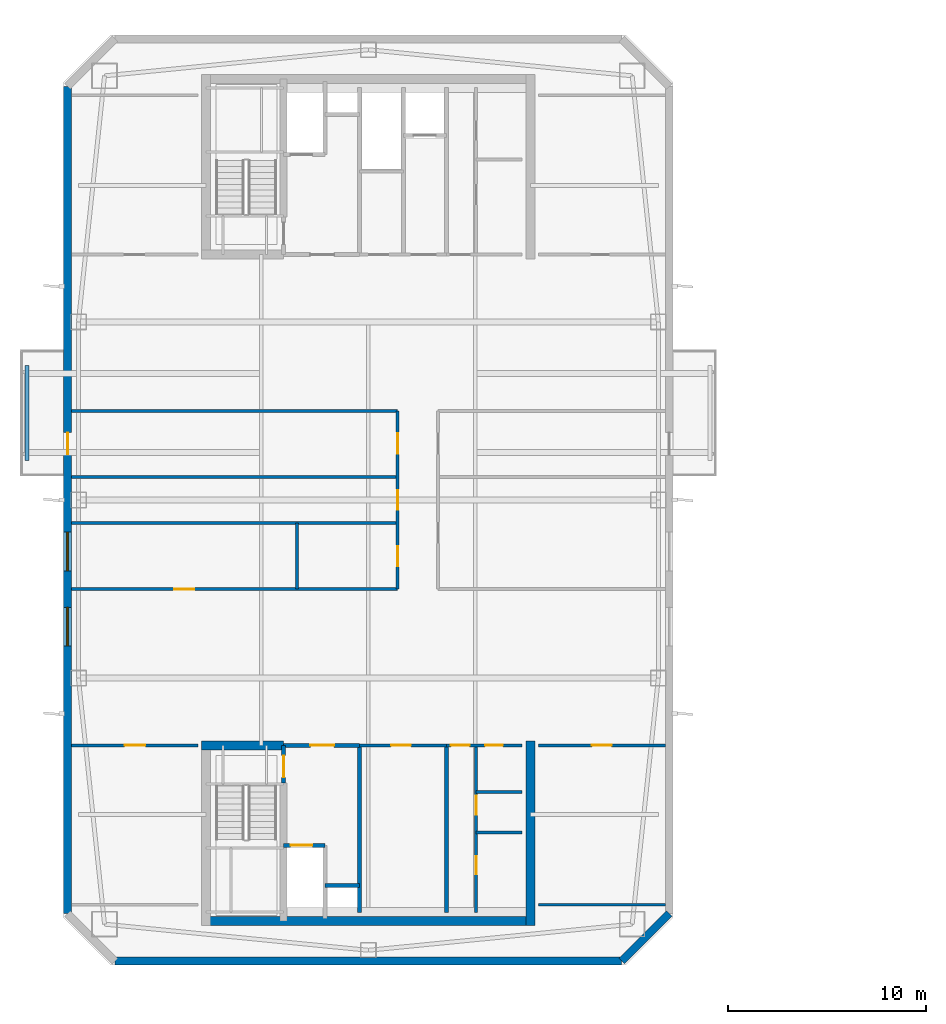
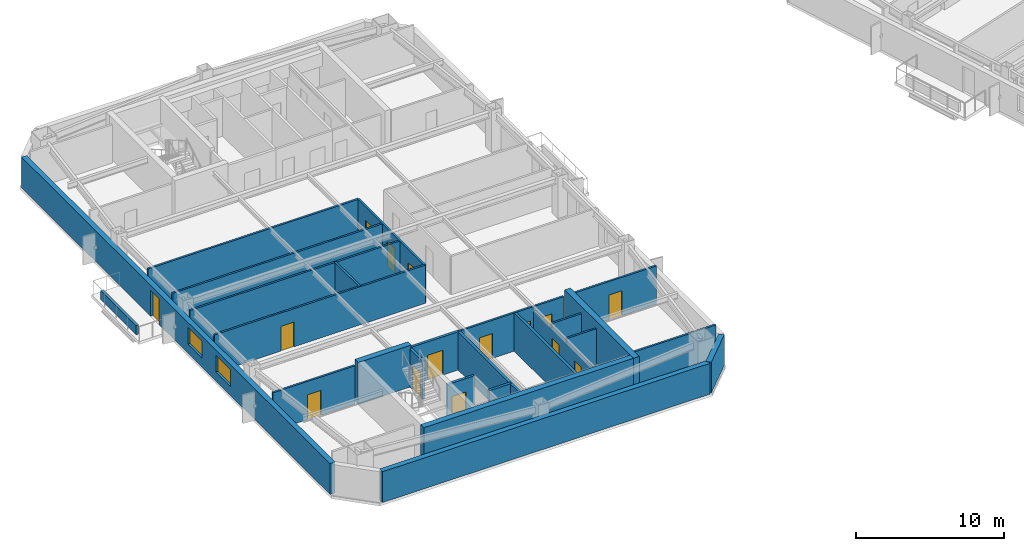
# One storey, part 6 of 18: 27 walls, 15 doors, 2 windows, 17 openings.
"""IFC4 building model written with IfcOpenShell, lengths in metres."""

from ifc_helpers import new_model, si_unit, direction, frame, frame_2d, origin, place, context, subcontext, project, spatial, rectangle, extrude, material, layer, layer_set, type_object, element, fill, save


model = new_model("IFC4")

# Units and contexts
model_context = context("Model", 3, precision=1e-05, world=origin(), true_north=direction((0.0, 1.0)))
body_context = subcontext(model_context, "Body", "Model", "MODEL_VIEW")
ifc_project = project(units=[si_unit("LENGTHUNIT", "METRE"), si_unit("AREAUNIT", "SQUARE_METRE"), si_unit("VOLUMEUNIT", "CUBIC_METRE"), si_unit("PLANEANGLEUNIT", "RADIAN"), si_unit("MASSUNIT", "GRAM", prefix="KILO")], contexts=[model_context])

# Site, building, storey
site_placement = place(None, origin())
site = spatial("IfcSite", under=ifc_project, at=site_placement, CompositionType="ELEMENT")
building_placement = place(site_placement, origin())
building = spatial("IfcBuilding", under=site, at=building_placement, Name="Qiaolan Cultural Towers", CompositionType="ELEMENT")
storey_placement = place(building_placement, frame((0.0, 0.0, 226.550048828125)))
storey = spatial("IfcBuildingStorey", under=building, at=storey_placement, Name="L61", CompositionType="ELEMENT", Elevation=226.550048828125)

# Walls
ifc_material_1 = material(Name="Concrete C50", Category="concrete")
ifc_layer_1 = layer(ifc_material_1, 0.449951171875)
ifc_layer_set_1 = layer_set([ifc_layer_1], Name="Concrete C50")
wall_type_1 = type_object("IfcWallType", Name="WL-CORE-450", PredefinedType="SHEAR", material=ifc_layer_set_1)
wall_1_placement = place(storey_placement, frame((21.574951171875, 12.719970703125, 0.0), z_axis=(0.0, 0.0, 1.0), x_axis=(1.0, 0.0, 0.0)))
element("IfcWall", 1, at=wall_1_placement, inside=storey, type_object=wall_type_1, Name="L61 T1-CS Outer Core Shear Wall", PredefinedType="SHEAR", context=body_context, shape_type="SweptSolid", body=[
    extrude(rectangle(XDim=16.85009765625, YDim=0.449951171875, at=frame_2d((8.425048828125, 0.0))), origin(), (0.0, 0.0, 1.0), 3.449951171875),
])
wall_2_placement = place(storey_placement, frame((38.199951171875, 21.824951171875, 0.0), z_axis=(0.0, 0.0, 1.0), x_axis=(0.0, -1.0, 0.0)))
element("IfcWall", 2, at=wall_2_placement, inside=storey, type_object=wall_type_1, Name="L61 T1-CS East Core Shear Wall", PredefinedType="SHEAR", context=body_context, shape_type="SweptSolid", body=[
    extrude(rectangle(XDim=9.329833984375, YDim=0.449951171875, at=frame_2d((4.6650390625, 0.0))), origin(), (0.0, 0.0, 1.0), 3.449951171875),
])
wall_3_placement = place(storey_placement, frame((21.574951171875, 21.60009765625, 0.0), z_axis=(0.0, 0.0, 1.0), x_axis=(1.0, 0.0, 0.0)))
element("IfcWall", 3, at=wall_3_placement, inside=storey, type_object=wall_type_1, Name="L61 T1-CS Stair Front Shear Wall", PredefinedType="SHEAR", context=body_context, shape_type="SweptSolid", body=[
    extrude(rectangle(XDim=4.14501953125, YDim=0.449951171875, at=frame_2d((2.072509765625, 0.0))), origin(), (0.0, 0.0, 1.0), 3.449951171875),
])

# Wall, openings, door, windows
ifc_material_2 = material(Name="Precast Concrete C50 Honed Stone Pier", Category="masonry")
ifc_layer_2 = layer(ifc_material_2, 0.39990234375)
ifc_layer_set_2 = layer_set([ifc_layer_2], Name="Precast Concrete C50 Honed Stone Pier")
wall_type_2 = type_object("IfcWallType", Name="WL-EXT-PIER-400", PredefinedType="SOLIDWALL", material=ifc_layer_set_2)
wall_4_placement = place(storey_placement, frame((14.800048828125, 13.10009765625, 0.0), z_axis=(0.0, 0.0, 1.0), x_axis=(0.0, 1.0, 0.0)))
wall_4 = element("IfcWall", 4, at=wall_4_placement, inside=storey, type_object=wall_type_2, Name="L61 West Tower Precast Pier Facade Wall F1", PredefinedType="SOLIDWALL", context=body_context, shape_type="SweptSolid", body=[
    extrude(rectangle(XDim=41.7998046875, YDim=0.39990234375, at=frame_2d((20.89990234375, 0.0))), origin(), (0.0, 0.0, 1.0), 2.550048828125),
])
opening_1_placement = place(wall_4_placement, frame((13.52490234375, 0.0, 0.75)))
opening_1 = element("IfcOpeningElement", 5, at=opening_1_placement, cuts=wall_4, Name="Opening W-06", PredefinedType="OPENING", context=body_context, shape_type="SweptSolid", body=[
    extrude(rectangle(XDim=1.949951171875, YDim=1.39990234375, at=frame_2d((0.97509765625, 0.699951171875))), frame((0.0, 0.2099609375, 0.0), z_axis=(0.0, -1.0, 0.0), x_axis=(1.0, 0.0, 0.0)), (0.0, 0.0, 1.0), 0.419921875),
])
opening_2_placement = place(wall_4_placement, frame((17.324951171875, 0.0, 0.75)))
opening_2 = element("IfcOpeningElement", 6, at=opening_2_placement, cuts=wall_4, Name="Opening W-06", PredefinedType="OPENING", context=body_context, shape_type="SweptSolid", body=[
    extrude(rectangle(XDim=1.949951171875, YDim=1.39990234375, at=frame_2d((0.97509765625, 0.699951171875))), frame((0.0, 0.2099609375, 0.0), z_axis=(0.0, -1.0, 0.0), x_axis=(1.0, 0.0, 0.0)), (0.0, 0.0, 1.0), 0.419921875),
])
opening_3_placement = place(wall_4_placement, frame((23.199951171875, 0.0, 0.0)))
opening_3 = element("IfcOpeningElement", 7, at=opening_3_placement, cuts=wall_4, Name="Opening BD-01", PredefinedType="OPENING", context=body_context, shape_type="SweptSolid", body=[
    extrude(rectangle(XDim=1.10009765625, YDim=2.14990234375, at=frame_2d((0.550048828125, 1.074951171875))), frame((0.0, 0.2099609375, 0.0), z_axis=(0.0, -1.0, 0.0), x_axis=(1.0, 0.0, 0.0)), (0.0, 0.0, 1.0), 0.419921875),
])
ifc_material_3 = material(Name="Thermally Broken Aluminium Glazed Terrace Door", Category="aluminium")
door_type_1 = type_object("IfcDoorType", Name="DR-BAL-1100", OperationType="NOTDEFINED", PredefinedType="DOOR", material=ifc_material_3)
door_1_placement = place(opening_3_placement, origin())
door_1 = element("IfcDoor", 8, at=door_1_placement, inside=storey, type_object=door_type_1, Name="L61 T1 West Tree Balcony Door", OperationType="SINGLE_SWING_LEFT", OverallHeight=2.14990234375, OverallWidth=1.10009765625, PredefinedType="DOOR", context=body_context, shape_type="SweptSolid", body=[
    extrude(rectangle(XDim=1.10009765625, YDim=2.14990234375, at=frame_2d((0.550048828125, 1.074951171875))), frame((0.0, 0.02490234375, 0.0), z_axis=(0.0, -1.0, 0.0), x_axis=(1.0, 0.0, 0.0)), (0.0, 0.0, 1.0), 0.050048828125),
])
fill(opening_3, door_1)
ifc_material_4 = material(Name="Thermally Broken Aluminium Triple Low-E Glazing", Category="aluminium")
window_type = type_object("IfcWindowType", Name="WN-CHIC-1950", PartitioningType="SINGLE_PANEL", PredefinedType="WINDOW", material=ifc_material_4)
window_1_placement = place(opening_1_placement, origin())
window_1 = element("IfcWindow", 9, at=window_1_placement, inside=storey, type_object=window_type, Name="L61 T1 W Chicago Bay Window 1", OverallHeight=1.39990234375, OverallWidth=1.949951171875, PartitioningType="TRIPLE_PANEL_VERTICAL", PredefinedType="WINDOW", context=body_context, shape_type="SweptSolid", body=[
    extrude(rectangle(XDim=1.949951171875, YDim=1.39990234375, at=frame_2d((0.97509765625, 0.699951171875))), frame((0.0, 0.030029296875, 0.0), z_axis=(0.0, -1.0, 0.0), x_axis=(1.0, 0.0, 0.0)), (0.0, 0.0, 1.0), 0.06005859375),
])
fill(opening_1, window_1)
window_2_placement = place(opening_2_placement, origin())
window_2 = element("IfcWindow", 10, at=window_2_placement, inside=storey, type_object=window_type, Name="L61 T1 W Chicago Bay Window 2", OverallHeight=1.39990234375, OverallWidth=1.949951171875, PartitioningType="TRIPLE_PANEL_VERTICAL", PredefinedType="WINDOW", context=body_context, shape_type="SweptSolid", body=[
    extrude(rectangle(XDim=1.949951171875, YDim=1.39990234375, at=frame_2d((0.97509765625, 0.699951171875))), frame((0.0, 0.030029296875, 0.0), z_axis=(0.0, -1.0, 0.0), x_axis=(1.0, 0.0, 0.0)), (0.0, 0.0, 1.0), 0.06005859375),
])
fill(opening_2, window_2)

# Walls
wall_5_placement = place(storey_placement, frame((45.199951171875, 13.10009765625, 0.0), z_axis=(0.0, 0.0, 1.0), x_axis=(-0.707070815327, -0.707142745217, 0.0)))
element("IfcWall", 11, at=wall_5_placement, inside=storey, type_object=wall_type_2, Name="L61 West Tower Precast Pier Facade Wall F6", PredefinedType="SOLIDWALL", context=body_context, shape_type="SweptSolid", body=[
    extrude(rectangle(XDim=3.39404296875, YDim=0.39990234375, at=frame_2d((1.697021484375, 0.0))), origin(), (0.0, 0.0, 1.0), 2.550048828125),
])
wall_6_placement = place(storey_placement, frame((42.800048828125, 10.699951171875, 0.0), z_axis=(0.0, 0.0, 1.0), x_axis=(-1.0, 0.0, 0.0)))
element("IfcWall", 12, at=wall_6_placement, inside=storey, type_object=wall_type_2, Name="L61 West Tower Precast Pier Facade Wall F7", PredefinedType="SOLIDWALL", context=body_context, shape_type="SweptSolid", body=[
    extrude(rectangle(XDim=25.60009765625, YDim=0.39990234375, at=frame_2d((12.800048828125, 0.0))), origin(), (0.0, 0.0, 1.0), 2.550048828125),
])

# Wall, opening, door
ifc_material_5 = material(Name="Concrete C35 Fire Wall", Category="concrete")
ifc_layer_3 = layer(ifc_material_5, 0.199951171875)
ifc_layer_set_3 = layer_set([ifc_layer_3], Name="Concrete C35 Fire Wall")
wall_type_3 = type_object("IfcWallType", Name="WL-FIRE-200", PredefinedType="PARTITIONING", material=ifc_layer_set_3)
wall_7_placement = place(storey_placement, frame((25.719970703125, 21.60009765625, 0.0), z_axis=(0.0, 0.0, 1.0), x_axis=(0.0, -1.0, 0.0)))
wall_7 = element("IfcWall", 13, at=wall_7_placement, inside=storey, type_object=wall_type_3, Name="L61 T1-CS Smokeproof Stair Entry Wall", PredefinedType="PARTITIONING", context=body_context, shape_type="SweptSolid", body=[
    extrude(rectangle(XDim=1.900146484375, YDim=0.199951171875, at=frame_2d((0.9501953125, 0.0))), origin(), (0.0, 0.0, 1.0), 3.155029296875),
])
opening_4_placement = place(wall_7_placement, frame((0.52001953125, 0.0, 0.0)))
opening_4 = element("IfcOpeningElement", 14, at=opening_4_placement, cuts=wall_7, Name="Opening FD-04", PredefinedType="OPENING", context=body_context, shape_type="SweptSolid", body=[
    extrude(rectangle(XDim=1.10009765625, YDim=2.050048828125, at=frame_2d((0.550048828125, 1.02490234375))), frame((0.0, 0.10986328125, 0.0), z_axis=(0.0, -1.0, 0.0), x_axis=(1.0, 0.0, 0.0)), (0.0, 0.0, 1.0), 0.219970703125),
])
ifc_material_6 = material(Name="Galvanized Steel Command Fire Door", Category="steel")
door_type_2 = type_object("IfcDoorType", Name="DR-FD90-1100", OperationType="NOTDEFINED", PredefinedType="DOOR", material=ifc_material_6)
door_2_placement = place(opening_4_placement, origin())
door_2 = element("IfcDoor", 15, at=door_2_placement, inside=storey, type_object=door_type_2, Name="L61 ST-W1 Smokeproof Stair Fire Door", OperationType="SINGLE_SWING_LEFT", OverallHeight=2.050048828125, OverallWidth=1.10009765625, PredefinedType="DOOR", context=body_context, shape_type="SweptSolid", body=[
    extrude(rectangle(XDim=1.10009765625, YDim=2.050048828125, at=frame_2d((0.550048828125, 1.02490234375))), frame((0.0, 0.02490234375, 0.0), z_axis=(0.0, -1.0, 0.0), x_axis=(1.0, 0.0, 0.0)), (0.0, 0.0, 1.0), 0.050048828125),
])
fill(opening_4, door_2)

# Wall
wall_8_placement = place(storey_placement, frame((29.550048828125, 21.60009765625, 0.0), z_axis=(0.0, 0.0, 1.0), x_axis=(0.0, -1.0, 0.0)))
element("IfcWall", 16, at=wall_8_placement, inside=storey, type_object=wall_type_3, Name="L61 T1-CS Firefighting Zone Wall", PredefinedType="PARTITIONING", context=body_context, shape_type="SweptSolid", body=[
    extrude(rectangle(XDim=8.43017578125, YDim=0.199951171875, at=frame_2d((4.215087890625, 0.0))), origin(), (0.0, 0.0, 1.0), 3.155029296875),
])

# Wall, opening, door
wall_9_placement = place(storey_placement, frame((25.719970703125, 21.60009765625, 0.0), z_axis=(0.0, 0.0, 1.0), x_axis=(1.0, 0.0, 0.0)))
wall_9 = element("IfcWall", 17, at=wall_9_placement, inside=storey, type_object=wall_type_3, Name="L61 T1-CS Firefighting Lobby Front Wall", PredefinedType="PARTITIONING", context=body_context, shape_type="SweptSolid", body=[
    extrude(rectangle(XDim=3.830078125, YDim=0.199951171875, at=frame_2d((1.9150390625, 0.0))), origin(), (0.0, 0.0, 1.0), 3.155029296875),
])
opening_5_placement = place(wall_9_placement, frame((1.35009765625, 0.0, 0.0)))
opening_5 = element("IfcOpeningElement", 18, at=opening_5_placement, cuts=wall_9, Name="Opening FD-03", PredefinedType="OPENING", context=body_context, shape_type="SweptSolid", body=[
    extrude(rectangle(XDim=1.199951171875, YDim=2.050048828125, at=frame_2d((0.60009765625, 1.02490234375))), frame((0.0, 0.10986328125, 0.0), z_axis=(0.0, -1.0, 0.0), x_axis=(1.0, 0.0, 0.0)), (0.0, 0.0, 1.0), 0.219970703125),
])
ifc_material_7 = material(Name="Galvanized Steel Smokeproof Lobby Fire Door", Category="steel")
door_type_3 = type_object("IfcDoorType", Name="DR-FD90-1200", OperationType="NOTDEFINED", PredefinedType="DOOR", material=ifc_material_7)
door_3_placement = place(opening_5_placement, origin())
door_3 = element("IfcDoor", 19, at=door_3_placement, inside=storey, type_object=door_type_3, Name="L61 FFL-W1 Firefighting Lobby Fire Door", OperationType="SINGLE_SWING_LEFT", OverallHeight=2.050048828125, OverallWidth=1.199951171875, PredefinedType="DOOR", context=body_context, shape_type="SweptSolid", body=[
    extrude(rectangle(XDim=1.199951171875, YDim=2.050048828125, at=frame_2d((0.60009765625, 1.02490234375))), frame((0.0, 0.02490234375, 0.0), z_axis=(0.0, -1.0, 0.0), x_axis=(1.0, 0.0, 0.0)), (0.0, 0.0, 1.0), 0.050048828125),
])
fill(opening_5, door_3)

wall_10_placement = place(storey_placement, frame((25.719970703125, 16.550048828125, 0.0), z_axis=(0.0, 0.0, 1.0), x_axis=(1.0, 0.0, 0.0)))
wall_10 = element("IfcWall", 20, at=wall_10_placement, inside=storey, type_object=wall_type_3, Name="L61 T1-CS Firefighting Shaft Front Wall", PredefinedType="PARTITIONING", context=body_context, shape_type="SweptSolid", body=[
    extrude(rectangle(XDim=2.10009765625, YDim=0.199951171875, at=frame_2d((1.050048828125, 0.0))), origin(), (0.0, 0.0, 1.0), 3.155029296875),
])
opening_6_placement = place(wall_10_placement, frame((0.35009765625, 0.0, 0.0)))
opening_6 = element("IfcOpeningElement", 21, at=opening_6_placement, cuts=wall_10, Name="Opening LD-01", PredefinedType="OPENING", context=body_context, shape_type="SweptSolid", body=[
    extrude(rectangle(XDim=1.10009765625, YDim=2.050048828125, at=frame_2d((0.550048828125, 1.02490234375))), frame((0.0, 0.10986328125, 0.0), z_axis=(0.0, -1.0, 0.0), x_axis=(1.0, 0.0, 0.0)), (0.0, 0.0, 1.0), 0.219970703125),
])
ifc_material_8 = material(Name="Brushed Stainless Steel S30408 Centre-Parting Lift Landing Door", Category="steel")
door_type_4 = type_object("IfcDoorType", Name="DR-LIFT-1100", OperationType="NOTDEFINED", PredefinedType="DOOR", material=ifc_material_8)
door_4_placement = place(opening_6_placement, origin())
door_4 = element("IfcDoor", 22, at=door_4_placement, inside=storey, type_object=door_type_4, Name="L61 FFL-W1 Firefighting Lift Landing Door", OperationType="DOUBLE_DOOR_SLIDING", OverallHeight=2.050048828125, OverallWidth=1.10009765625, PredefinedType="DOOR", context=body_context, shape_type="SweptSolid", body=[
    extrude(rectangle(XDim=1.10009765625, YDim=2.050048828125, at=frame_2d((0.550048828125, 1.02490234375))), frame((0.0, 0.02490234375, 0.0), z_axis=(0.0, -1.0, 0.0), x_axis=(1.0, 0.0, 0.0)), (0.0, 0.0, 1.0), 0.050048828125),
])
fill(opening_6, door_4)

# Walls
wall_11_placement = place(storey_placement, frame((27.820068359375, 14.52001953125, 0.0), z_axis=(0.0, 0.0, 1.0), x_axis=(1.0, 0.0, 0.0)))
element("IfcWall", 23, at=wall_11_placement, inside=storey, type_object=wall_type_3, Name="L61 T1-CS Pressurization Shaft Front Wall", PredefinedType="PARTITIONING", context=body_context, shape_type="SweptSolid", body=[
    extrude(rectangle(XDim=1.72998046875, YDim=0.199951171875, at=frame_2d((0.864990234375, 0.0))), origin(), (0.0, 0.0, 1.0), 3.155029296875),
])
wall_12_placement = place(storey_placement, frame((33.949951171875, 21.60009765625, 0.0), z_axis=(0.0, 0.0, 1.0), x_axis=(0.0, -1.0, 0.0)))
element("IfcWall", 24, at=wall_12_placement, inside=storey, type_object=wall_type_3, Name="L61 T1-CS Lift Core East Wall", PredefinedType="PARTITIONING", context=body_context, shape_type="SweptSolid", body=[
    extrude(rectangle(XDim=8.43017578125, YDim=0.199951171875, at=frame_2d((4.215087890625, 0.0))), origin(), (0.0, 0.0, 1.0), 3.155029296875),
])

# Wall, opening, door
ifc_material_9 = material(Name="Autoclaved Aerated Concrete Block B06", Category="concrete")
ifc_layer_4 = layer(ifc_material_9, 0.14990234375)
ifc_layer_set_4 = layer_set([ifc_layer_4], Name="Autoclaved Aerated Concrete Block B06")
wall_type_4 = type_object("IfcWallType", Name="WL-PART-150", PredefinedType="PARTITIONING", material=ifc_layer_set_4)
wall_13_placement = place(storey_placement, frame((29.550048828125, 21.60009765625, 0.0), z_axis=(0.0, 0.0, 1.0), x_axis=(1.0, 0.0, 0.0)))
wall_13 = element("IfcWall", 25, at=wall_13_placement, inside=storey, type_object=wall_type_4, Name="L61 T1-CS Reclaimed Core Room Front Wall", PredefinedType="PARTITIONING", context=body_context, shape_type="SweptSolid", body=[
    extrude(rectangle(XDim=4.39990234375, YDim=0.14990234375, at=frame_2d((2.199951171875, 0.0))), origin(), (0.0, 0.0, 1.0), 3.155029296875),
])
opening_7_placement = place(wall_13_placement, frame((1.60009765625, 0.0, 0.0)))
opening_7 = element("IfcOpeningElement", 26, at=opening_7_placement, cuts=wall_13, Name="Opening ID-04", PredefinedType="OPENING", context=body_context, shape_type="SweptSolid", body=[
    extrude(rectangle(XDim=1.0, YDim=2.050048828125, at=frame_2d((0.5, 1.02490234375))), frame((0.0, 0.0849609375, 0.0), z_axis=(0.0, -1.0, 0.0), x_axis=(1.0, 0.0, 0.0)), (0.0, 0.0, 1.0), 0.169921875),
])
ifc_material_10 = material(Name="Oak Veneer Acoustic Office Door", Category="timber")
door_type_5 = type_object("IfcDoorType", Name="DR-INT-1000", OperationType="NOTDEFINED", PredefinedType="DOOR", material=ifc_material_10)
door_5_placement = place(opening_7_placement, origin())
door_5 = element("IfcDoor", 27, at=door_5_placement, inside=storey, type_object=door_type_5, Name="L61 Reclaimed Archive Room Door", OperationType="SINGLE_SWING_LEFT", OverallHeight=2.050048828125, OverallWidth=1.0, PredefinedType="DOOR", context=body_context, shape_type="SweptSolid", body=[
    extrude(rectangle(XDim=1.0, YDim=2.050048828125, at=frame_2d((0.5, 1.02490234375))), frame((0.0, 0.02490234375, 0.0), z_axis=(0.0, -1.0, 0.0), x_axis=(1.0, 0.0, 0.0)), (0.0, 0.0, 1.0), 0.050048828125),
])
fill(opening_7, door_5)

# Wall, openings, doors
wall_14_placement = place(storey_placement, frame((33.949951171875, 21.60009765625, 0.0), z_axis=(0.0, 0.0, 1.0), x_axis=(1.0, 0.0, 0.0)))
wall_14 = element("IfcWall", 28, at=wall_14_placement, inside=storey, type_object=wall_type_4, Name="L61 T1-CS Sanitary Core Front Wall", PredefinedType="PARTITIONING", context=body_context, shape_type="SweptSolid", body=[
    extrude(rectangle(XDim=3.800048828125, YDim=0.14990234375, at=frame_2d((1.89990234375, 0.0))), origin(), (0.0, 0.0, 1.0), 3.155029296875),
])
opening_8_placement = place(wall_14_placement, frame((0.219970703125, 0.0, 0.0)))
opening_8 = element("IfcOpeningElement", 29, at=opening_8_placement, cuts=wall_14, Name="Opening ID-05", PredefinedType="OPENING", context=body_context, shape_type="SweptSolid", body=[
    extrude(rectangle(XDim=0.949951171875, YDim=2.050048828125, at=frame_2d((0.47509765625, 1.02490234375))), frame((0.0, 0.0849609375, 0.0), z_axis=(0.0, -1.0, 0.0), x_axis=(1.0, 0.0, 0.0)), (0.0, 0.0, 1.0), 0.169921875),
])
opening_9_placement = place(wall_14_placement, frame((1.949951171875, 0.0, 0.0)))
opening_9 = element("IfcOpeningElement", 30, at=opening_9_placement, cuts=wall_14, Name="Opening ID-06", PredefinedType="OPENING", context=body_context, shape_type="SweptSolid", body=[
    extrude(rectangle(XDim=0.89990234375, YDim=2.050048828125, at=frame_2d((0.449951171875, 1.02490234375))), frame((0.0, 0.0849609375, 0.0), z_axis=(0.0, -1.0, 0.0), x_axis=(1.0, 0.0, 0.0)), (0.0, 0.0, 1.0), 0.169921875),
])
ifc_material_11 = material(Name="Fire-Rated Laminate Core Service Door", Category="timber")
door_type_6 = type_object("IfcDoorType", Name="DR-INT-900", OperationType="NOTDEFINED", PredefinedType="DOOR", material=ifc_material_11)
door_6_placement = place(opening_9_placement, origin())
door_6 = element("IfcDoor", 31, at=door_6_placement, inside=storey, type_object=door_type_6, Name="L61 Core Tea Pantry Door", OperationType="SINGLE_SWING_RIGHT", OverallHeight=2.050048828125, OverallWidth=0.89990234375, PredefinedType="DOOR", context=body_context, shape_type="SweptSolid", body=[
    extrude(rectangle(XDim=0.89990234375, YDim=2.050048828125, at=frame_2d((0.449951171875, 1.02490234375))), frame((0.0, 0.02490234375, 0.0), z_axis=(0.0, -1.0, 0.0), x_axis=(1.0, 0.0, 0.0)), (0.0, 0.0, 1.0), 0.050048828125),
])
fill(opening_9, door_6)
ifc_material_12 = material(Name="Fire-Rated Laminate Accessible Core Door", Category="timber")
door_type_7 = type_object("IfcDoorType", Name="DR-INT-950", OperationType="NOTDEFINED", PredefinedType="DOOR", material=ifc_material_12)
door_7_placement = place(opening_8_placement, origin())
door_7 = element("IfcDoor", 32, at=door_7_placement, inside=storey, type_object=door_type_7, Name="L61 Sanitary Passage Door", OperationType="SINGLE_SWING_LEFT", OverallHeight=2.050048828125, OverallWidth=0.949951171875, PredefinedType="DOOR", context=body_context, shape_type="SweptSolid", body=[
    extrude(rectangle(XDim=0.949951171875, YDim=2.050048828125, at=frame_2d((0.47509765625, 1.02490234375))), frame((0.0, 0.02490234375, 0.0), z_axis=(0.0, -1.0, 0.0), x_axis=(1.0, 0.0, 0.0)), (0.0, 0.0, 1.0), 0.050048828125),
])
fill(opening_8, door_7)

wall_15_placement = place(storey_placement, frame((35.449951171875, 21.60009765625, 0.0), z_axis=(0.0, 0.0, 1.0), x_axis=(0.0, -1.0, 0.0)))
wall_15 = element("IfcWall", 33, at=wall_15_placement, inside=storey, type_object=wall_type_4, Name="L61 T1-CS Sanitary Corridor Wall", PredefinedType="PARTITIONING", context=body_context, shape_type="SweptSolid", body=[
    extrude(rectangle(XDim=8.43017578125, YDim=0.14990234375, at=frame_2d((4.215087890625, 0.0))), origin(), (0.0, 0.0, 1.0), 2.794921875),
])
opening_10_placement = place(wall_15_placement, frame((2.550048828125, 0.0, 0.0)))
opening_10 = element("IfcOpeningElement", 34, at=opening_10_placement, cuts=wall_15, Name="Opening ID-05", PredefinedType="OPENING", context=body_context, shape_type="SweptSolid", body=[
    extrude(rectangle(XDim=0.949951171875, YDim=2.050048828125, at=frame_2d((0.47509765625, 1.02490234375))), frame((0.0, 0.0849609375, 0.0), z_axis=(0.0, -1.0, 0.0), x_axis=(1.0, 0.0, 0.0)), (0.0, 0.0, 1.0), 0.169921875),
])
opening_11_placement = place(wall_15_placement, frame((5.60009765625, 0.0, 0.0)))
opening_11 = element("IfcOpeningElement", 35, at=opening_11_placement, cuts=wall_15, Name="Opening ID-06", PredefinedType="OPENING", context=body_context, shape_type="SweptSolid", body=[
    extrude(rectangle(XDim=0.89990234375, YDim=2.050048828125, at=frame_2d((0.449951171875, 1.02490234375))), frame((0.0, 0.0849609375, 0.0), z_axis=(0.0, -1.0, 0.0), x_axis=(1.0, 0.0, 0.0)), (0.0, 0.0, 1.0), 0.169921875),
])
door_8_placement = place(opening_11_placement, origin())
door_8 = element("IfcDoor", 36, at=door_8_placement, inside=storey, type_object=door_type_6, Name="L61 Staff Restroom Door", OperationType="SINGLE_SWING_RIGHT", OverallHeight=2.050048828125, OverallWidth=0.89990234375, PredefinedType="DOOR", context=body_context, shape_type="SweptSolid", body=[
    extrude(rectangle(XDim=0.89990234375, YDim=2.050048828125, at=frame_2d((0.449951171875, 1.02490234375))), frame((0.0, 0.02490234375, 0.0), z_axis=(0.0, -1.0, 0.0), x_axis=(1.0, 0.0, 0.0)), (0.0, 0.0, 1.0), 0.050048828125),
])
fill(opening_11, door_8)
door_9_placement = place(opening_10_placement, origin())
door_9 = element("IfcDoor", 37, at=door_9_placement, inside=storey, type_object=door_type_7, Name="L61 Accessible Washroom Door", OperationType="SINGLE_SWING_LEFT", OverallHeight=2.050048828125, OverallWidth=0.949951171875, PredefinedType="DOOR", context=body_context, shape_type="SweptSolid", body=[
    extrude(rectangle(XDim=0.949951171875, YDim=2.050048828125, at=frame_2d((0.47509765625, 1.02490234375))), frame((0.0, 0.02490234375, 0.0), z_axis=(0.0, -1.0, 0.0), x_axis=(1.0, 0.0, 0.0)), (0.0, 0.0, 1.0), 0.050048828125),
])
fill(opening_10, door_9)

# Walls
for number, where, z_axis, x_axis, name in (
    (38, (35.449951171875, 17.199951171875, 0.0), (0.0, 0.0, 1.0), (1.0, 0.0, 0.0), "L61 T1-CS Restroom Split Wall"),
    (39, (35.449951171875, 19.25, 0.0), (0.0, 0.0, 1.0), (1.0, 0.0, 0.0), "L61 T1-CS Core Pantry Wall"),
):
    element("IfcWall", number, at=place(storey_placement, frame(where, z_axis=z_axis, x_axis=x_axis)), inside=storey, type_object=wall_type_4, Name=name, PredefinedType="PARTITIONING", context=body_context, shape_type="SweptSolid", body=[
        extrude(rectangle(XDim=2.300048828125, YDim=0.14990234375, at=frame_2d((1.14990234375, 0.0))), origin(), (0.0, 0.0, 1.0), 3.155029296875),
    ])

# Wall, opening, door
wall_16_placement = place(storey_placement, frame((15.0, 21.60009765625, 0.0), z_axis=(0.0, 0.0, 1.0), x_axis=(1.0, 0.0, 0.0)))
wall_16 = element("IfcWall", 40, at=wall_16_placement, inside=storey, type_object=wall_type_4, Name="L61 T1 Flank Front FLK-SW", PredefinedType="PARTITIONING", context=body_context, shape_type="SweptSolid", body=[
    extrude(rectangle(XDim=6.39990234375, YDim=0.14990234375, at=frame_2d((3.199951171875, 0.0))), origin(), (0.0, 0.0, 1.0), 3.155029296875),
])
opening_12_placement = place(wall_16_placement, frame((2.68798828125, 0.0, 0.0)))
opening_12 = element("IfcOpeningElement", 41, at=opening_12_placement, cuts=wall_16, Name="Opening ID-07", PredefinedType="OPENING", context=body_context, shape_type="SweptSolid", body=[
    extrude(rectangle(XDim=1.050048828125, YDim=2.050048828125, at=frame_2d((0.52490234375, 1.02490234375))), frame((0.0, 0.0849609375, 0.0), z_axis=(0.0, -1.0, 0.0), x_axis=(1.0, 0.0, 0.0)), (0.0, 0.0, 1.0), 0.169921875),
])
ifc_material_13 = material(Name="Oak Veneer Consultation Door", Category="timber")
door_type_8 = type_object("IfcDoorType", Name="DR-INT-1050", OperationType="NOTDEFINED", PredefinedType="DOOR", material=ifc_material_13)
door_10_placement = place(opening_12_placement, origin())
door_10 = element("IfcDoor", 42, at=door_10_placement, inside=storey, type_object=door_type_8, Name="L61 T1 Corner Studio Door", OperationType="SINGLE_SWING_LEFT", OverallHeight=2.050048828125, OverallWidth=1.050048828125, PredefinedType="DOOR", context=body_context, shape_type="SweptSolid", body=[
    extrude(rectangle(XDim=1.050048828125, YDim=2.050048828125, at=frame_2d((0.52490234375, 1.02490234375))), frame((0.0, 0.02490234375, 0.0), z_axis=(0.0, -1.0, 0.0), x_axis=(1.0, 0.0, 0.0)), (0.0, 0.0, 1.0), 0.050048828125),
])
fill(opening_12, door_10)

# Wall
wall_17_placement = place(storey_placement, frame((38.60009765625, 13.550048828125, 0.0), z_axis=(0.0, 0.0, 1.0), x_axis=(1.0, 0.0, 0.0)))
element("IfcWall", 43, at=wall_17_placement, inside=storey, type_object=wall_type_4, Name="L61 T1 Flank Wall FLK-SE", PredefinedType="PARTITIONING", context=body_context, shape_type="SweptSolid", body=[
    extrude(rectangle(XDim=6.39990234375, YDim=0.14990234375, at=frame_2d((3.199951171875, 0.0))), origin(), (0.0, 0.0, 1.0), 3.155029296875),
])

# Wall, opening, door
wall_18_placement = place(storey_placement, frame((38.60009765625, 21.60009765625, 0.0), z_axis=(0.0, 0.0, 1.0), x_axis=(1.0, 0.0, 0.0)))
wall_18 = element("IfcWall", 44, at=wall_18_placement, inside=storey, type_object=wall_type_4, Name="L61 T1 Flank Front FLK-SE", PredefinedType="PARTITIONING", context=body_context, shape_type="SweptSolid", body=[
    extrude(rectangle(XDim=6.39990234375, YDim=0.14990234375, at=frame_2d((3.199951171875, 0.0))), origin(), (0.0, 0.0, 1.0), 3.155029296875),
])
opening_13_placement = place(wall_18_placement, frame((2.68798828125, 0.0, 0.0)))
opening_13 = element("IfcOpeningElement", 45, at=opening_13_placement, cuts=wall_18, Name="Opening ID-04", PredefinedType="OPENING", context=body_context, shape_type="SweptSolid", body=[
    extrude(rectangle(XDim=1.0, YDim=2.050048828125, at=frame_2d((0.5, 1.02490234375))), frame((0.0, 0.0849609375, 0.0), z_axis=(0.0, -1.0, 0.0), x_axis=(1.0, 0.0, 0.0)), (0.0, 0.0, 1.0), 0.169921875),
])
door_11_placement = place(opening_13_placement, origin())
door_11 = element("IfcDoor", 46, at=door_11_placement, inside=storey, type_object=door_type_5, Name="L61 T1 Corner Studio Door", OperationType="SINGLE_SWING_LEFT", OverallHeight=2.050048828125, OverallWidth=1.0, PredefinedType="DOOR", context=body_context, shape_type="SweptSolid", body=[
    extrude(rectangle(XDim=1.0, YDim=2.050048828125, at=frame_2d((0.5, 1.02490234375))), frame((0.0, 0.02490234375, 0.0), z_axis=(0.0, -1.0, 0.0), x_axis=(1.0, 0.0, 0.0)), (0.0, 0.0, 1.0), 0.050048828125),
])
fill(opening_13, door_11)

wall_19_placement = place(storey_placement, frame((15.0, 29.5, 0.0), z_axis=(0.0, 0.0, 1.0), x_axis=(1.0, 0.0, 0.0)))
wall_19 = element("IfcWall", 47, at=wall_19_placement, inside=storey, type_object=wall_type_4, Name="L61 T1 South Foyer West Wall", PredefinedType="PARTITIONING", context=body_context, shape_type="SweptSolid", body=[
    extrude(rectangle(XDim=16.47509765625, YDim=0.14990234375, at=frame_2d((8.237548828125, 0.0))), origin(), (0.0, 0.0, 1.0), 3.155029296875),
])
opening_14_placement = place(wall_19_placement, frame((5.199951171875, 0.0, 0.0)))
opening_14 = element("IfcOpeningElement", 48, at=opening_14_placement, cuts=wall_19, Name="Opening ID-04", PredefinedType="OPENING", context=body_context, shape_type="SweptSolid", body=[
    extrude(rectangle(XDim=1.0, YDim=2.050048828125, at=frame_2d((0.5, 1.02490234375))), frame((0.0, 0.0849609375, 0.0), z_axis=(0.0, -1.0, 0.0), x_axis=(1.0, 0.0, 0.0)), (0.0, 0.0, 1.0), 0.169921875),
])
door_12_placement = place(opening_14_placement, origin())
door_12 = element("IfcDoor", 49, at=door_12_placement, inside=storey, type_object=door_type_5, Name="L61 T1 Executive Tower Office Door", OperationType="SINGLE_SWING_LEFT", OverallHeight=2.050048828125, OverallWidth=1.0, PredefinedType="DOOR", context=body_context, shape_type="SweptSolid", body=[
    extrude(rectangle(XDim=1.0, YDim=2.050048828125, at=frame_2d((0.5, 1.02490234375))), frame((0.0, 0.02490234375, 0.0), z_axis=(0.0, -1.0, 0.0), x_axis=(1.0, 0.0, 0.0)), (0.0, 0.0, 1.0), 0.050048828125),
])
fill(opening_14, door_12)

# Wall
wall_20_placement = place(storey_placement, frame((15.0, 38.5, 0.0), z_axis=(0.0, 0.0, 1.0), x_axis=(1.0, 0.0, 0.0)))
element("IfcWall", 50, at=wall_20_placement, inside=storey, type_object=wall_type_4, Name="L61 T1 North Foyer West Wall", PredefinedType="PARTITIONING", context=body_context, shape_type="SweptSolid", body=[
    extrude(rectangle(XDim=16.47509765625, YDim=0.14990234375, at=frame_2d((8.237548828125, 0.0))), origin(), (0.0, 0.0, 1.0), 3.155029296875),
])

# Wall, openings, doors
wall_21_placement = place(storey_placement, frame((31.47509765625, 29.5, 0.0), z_axis=(0.0, 0.0, 1.0), x_axis=(0.0, 1.0, 0.0)))
wall_21 = element("IfcWall", 51, at=wall_21_placement, inside=storey, type_object=wall_type_4, Name="L61 T1 Central Spine West Wall", PredefinedType="PARTITIONING", context=body_context, shape_type="SweptSolid", body=[
    extrude(rectangle(XDim=9.0, YDim=0.14990234375, at=frame_2d((4.5, 0.0))), origin(), (0.0, 0.0, 1.0), 3.155029296875),
])
opening_15_placement = place(wall_21_placement, frame((1.1650390625, 0.0, 0.0)))
opening_15 = element("IfcOpeningElement", 52, at=opening_15_placement, cuts=wall_21, Name="Opening ID-04", PredefinedType="OPENING", context=body_context, shape_type="SweptSolid", body=[
    extrude(rectangle(XDim=1.0, YDim=2.050048828125, at=frame_2d((0.5, 1.02490234375))), frame((0.0, 0.0849609375, 0.0), z_axis=(0.0, -1.0, 0.0), x_axis=(1.0, 0.0, 0.0)), (0.0, 0.0, 1.0), 0.169921875),
])
opening_16_placement = place(wall_21_placement, frame((4.0, 0.0, 0.0)))
opening_16 = element("IfcOpeningElement", 53, at=opening_16_placement, cuts=wall_21, Name="Opening ID-04", PredefinedType="OPENING", context=body_context, shape_type="SweptSolid", body=[
    extrude(rectangle(XDim=1.0, YDim=2.050048828125, at=frame_2d((0.5, 1.02490234375))), frame((0.0, 0.0849609375, 0.0), z_axis=(0.0, -1.0, 0.0), x_axis=(1.0, 0.0, 0.0)), (0.0, 0.0, 1.0), 0.169921875),
])
opening_17_placement = place(wall_21_placement, frame((6.8349609375, 0.0, 0.0)))
opening_17 = element("IfcOpeningElement", 54, at=opening_17_placement, cuts=wall_21, Name="Opening ID-07", PredefinedType="OPENING", context=body_context, shape_type="SweptSolid", body=[
    extrude(rectangle(XDim=1.050048828125, YDim=2.050048828125, at=frame_2d((0.52490234375, 1.02490234375))), frame((0.0, 0.0849609375, 0.0), z_axis=(0.0, -1.0, 0.0), x_axis=(1.0, 0.0, 0.0)), (0.0, 0.0, 1.0), 0.169921875),
])
door_13_placement = place(opening_15_placement, origin())
door_13 = element("IfcDoor", 55, at=door_13_placement, inside=storey, type_object=door_type_5, Name="L61 T1 Executive Tower Office Door", OperationType="SINGLE_SWING_RIGHT", OverallHeight=2.050048828125, OverallWidth=1.0, PredefinedType="DOOR", context=body_context, shape_type="SweptSolid", body=[
    extrude(rectangle(XDim=1.0, YDim=2.050048828125, at=frame_2d((0.5, 1.02490234375))), frame((0.0, 0.02490234375, 0.0), z_axis=(0.0, -1.0, 0.0), x_axis=(1.0, 0.0, 0.0)), (0.0, 0.0, 1.0), 0.050048828125),
])
fill(opening_15, door_13)
door_14_placement = place(opening_16_placement, origin())
door_14 = element("IfcDoor", 56, at=door_14_placement, inside=storey, type_object=door_type_5, Name="L61 T1 Executive Tower Office Door", OperationType="SINGLE_SWING_RIGHT", OverallHeight=2.050048828125, OverallWidth=1.0, PredefinedType="DOOR", context=body_context, shape_type="SweptSolid", body=[
    extrude(rectangle(XDim=1.0, YDim=2.050048828125, at=frame_2d((0.5, 1.02490234375))), frame((0.0, 0.02490234375, 0.0), z_axis=(0.0, -1.0, 0.0), x_axis=(1.0, 0.0, 0.0)), (0.0, 0.0, 1.0), 0.050048828125),
])
fill(opening_16, door_14)
door_15_placement = place(opening_17_placement, origin())
door_15 = element("IfcDoor", 57, at=door_15_placement, inside=storey, type_object=door_type_8, Name="L61 T1 Director Office Door", OperationType="SINGLE_SWING_LEFT", OverallHeight=2.050048828125, OverallWidth=1.050048828125, PredefinedType="DOOR", context=body_context, shape_type="SweptSolid", body=[
    extrude(rectangle(XDim=1.050048828125, YDim=2.050048828125, at=frame_2d((0.52490234375, 1.02490234375))), frame((0.0, 0.02490234375, 0.0), z_axis=(0.0, -1.0, 0.0), x_axis=(1.0, 0.0, 0.0)), (0.0, 0.0, 1.0), 0.050048828125),
])
fill(opening_17, door_15)

# Walls
wall_22_placement = place(storey_placement, frame((26.39990234375, 29.5, 0.0), z_axis=(0.0, 0.0, 1.0), x_axis=(0.0, 1.0, 0.0)))
element("IfcWall", 58, at=wall_22_placement, inside=storey, type_object=wall_type_4, Name="L61 T1 Interior Wall", PredefinedType="PARTITIONING", context=body_context, shape_type="SweptSolid", body=[
    extrude(rectangle(XDim=3.330078125, YDim=0.14990234375, at=frame_2d((1.6650390625, 0.0))), origin(), (0.0, 0.0, 1.0), 3.155029296875),
])
for number, where, z_axis, x_axis, name in (
    (59, (15.0, 32.830078125, 0.0), (0.0, 0.0, 1.0), (1.0, 0.0, 0.0), "L61 T1 Interior Wall"),
    (60, (15.0, 35.169921875, 0.0), (0.0, 0.0, 1.0), (1.0, 0.0, 0.0), "L61 T1 Interior Wall"),
):
    element("IfcWall", number, at=place(storey_placement, frame(where, z_axis=z_axis, x_axis=x_axis)), inside=storey, type_object=wall_type_4, Name=name, PredefinedType="PARTITIONING", context=body_context, shape_type="SweptSolid", body=[
        extrude(rectangle(XDim=16.47509765625, YDim=0.14990234375, at=frame_2d((8.237548828125, 0.0))), origin(), (0.0, 0.0, 1.0), 3.155029296875),
    ])
ifc_material_14 = material(Name="Precast Concrete C45 Tree Planter Upstand", Category="concrete")
ifc_layer_5 = layer(ifc_material_14, 0.199951171875)
ifc_layer_set_5 = layer_set([ifc_layer_5], Name="Precast Concrete C45 Tree Planter Upstand")
wall_type_5 = type_object("IfcWallType", Name="WL-PLANTER-200", PredefinedType="PARAPET", material=ifc_layer_set_5)
wall_23_placement = place(storey_placement, frame((12.75, 36.0, 0.0), z_axis=(0.0, 0.0, 1.0), x_axis=(0.0, 1.0, 0.0)))
element("IfcWall", 61, at=wall_23_placement, inside=storey, type_object=wall_type_5, Name="L61 T1 Tree Balcony Soil Planter Box W", PredefinedType="PARAPET", context=body_context, shape_type="SweptSolid", body=[
    extrude(rectangle(XDim=4.800048828125, YDim=0.199951171875, at=frame_2d((2.39990234375, 0.0))), origin(), (0.0, 0.0, 1.0), 0.75),
])

save(model, "model.ifc")
